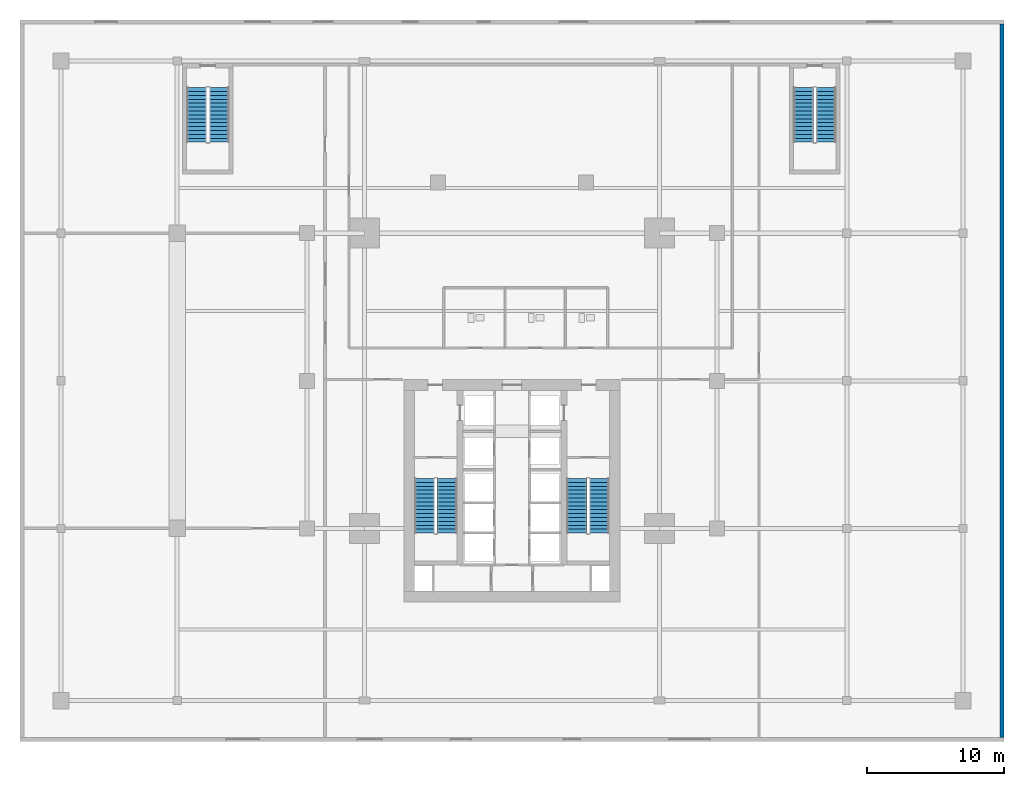
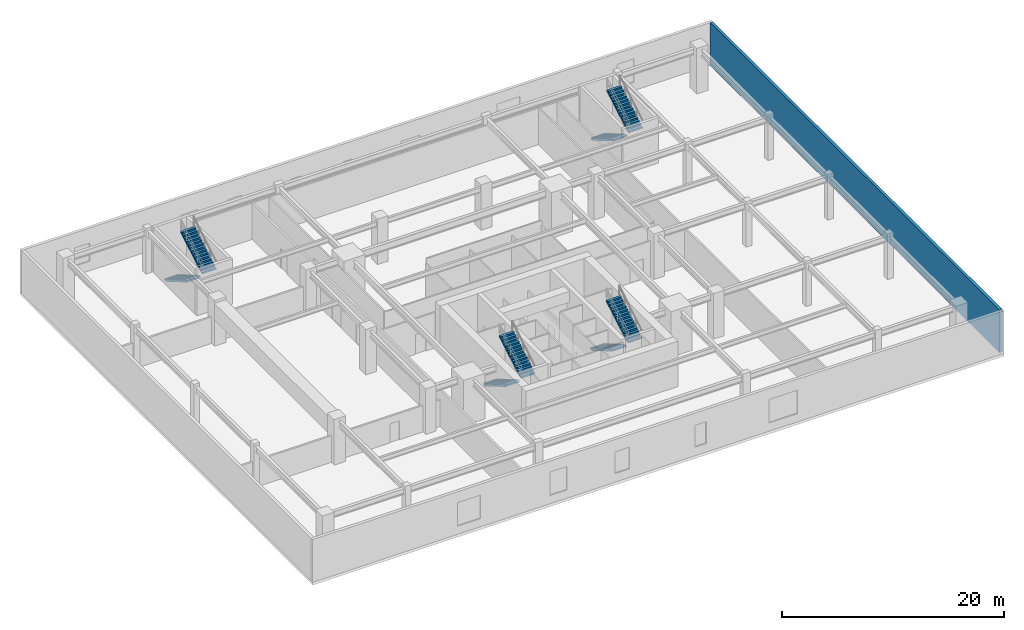
# One storey, part 7 of 10: 8 stair flights, 1 wall, 4 elements without a shape of their own.
"""IFC4 building model written with IfcOpenShell, lengths in metres."""

from ifc_helpers import new_model, si_unit, direction, frame, frame_2d, origin, place, context, subcontext, project, spatial, polyline, rectangle, outline, extrude, material, layer, layer_set, type_object, element, aggregate, save


model = new_model("IFC4")

# Units and contexts
model_context = context("Model", 3, precision=1e-05, world=origin(), true_north=direction((0.0, 1.0)))
body_context = subcontext(model_context, "Body", "Model", "MODEL_VIEW")
ifc_project = project(units=[si_unit("LENGTHUNIT", "METRE"), si_unit("AREAUNIT", "SQUARE_METRE"), si_unit("VOLUMEUNIT", "CUBIC_METRE"), si_unit("PLANEANGLEUNIT", "RADIAN"), si_unit("MASSUNIT", "GRAM", prefix="KILO")], contexts=[model_context])

# Site, building, storey
site_placement = place(None, origin())
site = spatial("IfcSite", under=ifc_project, at=site_placement, CompositionType="ELEMENT")
building_placement = place(site_placement, origin())
building = spatial("IfcBuilding", under=site, at=building_placement, Name="Krantzveldt Concourse Tower", CompositionType="ELEMENT")
storey_placement = place(building_placement, frame((0.0, 0.0, 5.39990234375)))
storey = spatial("IfcBuildingStorey", under=building, at=storey_placement, Name="L01", CompositionType="ELEMENT", Elevation=5.39990234375)

# Wall
ifc_material_1 = material(Name="Concrete C40/50", Category="concrete")
ifc_layer = layer(ifc_material_1, 0.300048828125, Name="Concrete C40/50", Category="concrete")
ifc_layer_set = layer_set([ifc_layer], Name="Concrete C40/50 (WL-EXT-GRAN300)")
wall_type = type_object("IfcWallType", Name="WL-EXT-GRAN300", PredefinedType="SOLIDWALL", material=ifc_layer_set)
wall_placement = place(storey_placement, frame((71.85009765625, 52.800048828125, 0.0), z_axis=(0.0, 0.0, 1.0), x_axis=(0.0, -1.0, 0.0)))
element("IfcWall", 1, at=wall_placement, inside=storey, type_object=wall_type, Name="EW-L01-E", PredefinedType="SOLIDWALL", context=body_context, shape_type="SweptSolid", body=[
    extrude(rectangle(XDim=52.199951171875, YDim=0.300048828125, at=frame_2d((26.10009765625, 0.0))), origin(), (0.0, 0.0, 1.0), 4.7001953125),
])

# Stair, stair flights
ifc_material_2 = material(Name="Precast concrete C40/50", Category="concrete")
stair_type = type_object("IfcStairType", Name="STR-CORE-DOGLEG", PredefinedType="HALF_TURN_STAIR", material=ifc_material_2)
stair_1_placement = place(storey_placement, origin())
stair_1 = element("IfcStair", 2, at=stair_1_placement, inside=storey, type_object=stair_type, Name="L01 Protected Escape Stair ST-1", PredefinedType="HALF_TURN_STAIR")
stair_flight_type = type_object("IfcStairFlightType", Name="STF-CORE-1450", PredefinedType="STRAIGHT", material=ifc_material_2)
stair_flight_1_placement = place(storey_placement, frame((29.60498046875, 19.550048828125, 0.0), z_axis=(0.0, 0.0, 1.0), x_axis=(0.0, -1.0, 0.0)))
stair_flight_1 = element("IfcStairFlight", 3, at=stair_flight_1_placement, type_object=stair_flight_type, Name="ST-1 flight 1", NumberOfRisers=15, NumberOfTreads=14, PredefinedType="STRAIGHT", RiserHeight=0.166666667, TreadLength=0.285, context=body_context, shape_type="SweptSolid", body=[
    extrude(outline(polyline([(0.0, 0.0), (0.0, 0.166748046875), (0.284912109375, 0.166748046875), (0.284912109375, 0.333251953125), (0.570068359375, 0.333251953125), (0.570068359375, 0.5), (0.85498046875, 0.5), (0.85498046875, 0.666748046875), (1.139892578125, 0.666748046875), (1.139892578125, 0.833251953125), (1.425048828125, 0.833251953125), (1.425048828125, 1.0), (1.7099609375, 1.0), (1.7099609375, 1.166748046875), (1.9951171875, 1.166748046875), (1.9951171875, 1.333251953125), (2.280029296875, 1.333251953125), (2.280029296875, 1.5), (2.56494140625, 1.5), (2.56494140625, 1.666748046875), (2.85009765625, 1.666748046875), (2.85009765625, 1.833251953125), (3.135009765625, 1.833251953125), (3.135009765625, 2.0), (3.419921875, 2.0), (3.419921875, 2.166748046875), (3.705078125, 2.166748046875), (3.705078125, 2.333251953125), (3.989990234375, 2.333251953125), (3.989990234375, 2.5), (3.989990234375, 2.15966796875), (0.296875, 0.0), (0.0, 0.0)])), frame((0.0, 0.72509765625, 0.0), z_axis=(0.0, -1.0, 0.0), x_axis=(1.0, 0.0, 0.0)), (0.0, 0.0, 1.0), 1.449951171875),
])
stair_flight_2_placement = place(storey_placement, frame((31.2548828125, 15.56005859375, 2.5), z_axis=(0.0, 0.0, 1.0), x_axis=(0.0, 1.0, 0.0)))
stair_flight_2 = element("IfcStairFlight", 4, at=stair_flight_2_placement, type_object=stair_flight_type, Name="ST-1 flight 2", NumberOfRisers=15, NumberOfTreads=14, PredefinedType="STRAIGHT", RiserHeight=0.166666667, TreadLength=0.285, context=body_context, shape_type="SweptSolid", body=[
    extrude(outline(polyline([(0.0, 0.0), (0.0, 0.166748046875), (0.284912109375, 0.166748046875), (0.284912109375, 0.333251953125), (0.570068359375, 0.333251953125), (0.570068359375, 0.5), (0.85498046875, 0.5), (0.85498046875, 0.666748046875), (1.139892578125, 0.666748046875), (1.139892578125, 0.833251953125), (1.425048828125, 0.833251953125), (1.425048828125, 1.0), (1.7099609375, 1.0), (1.7099609375, 1.166748046875), (1.9951171875, 1.166748046875), (1.9951171875, 1.333251953125), (2.280029296875, 1.333251953125), (2.280029296875, 1.5), (2.56494140625, 1.5), (2.56494140625, 1.666748046875), (2.85009765625, 1.666748046875), (2.85009765625, 1.833251953125), (3.135009765625, 1.833251953125), (3.135009765625, 2.0), (3.419921875, 2.0), (3.419921875, 2.166748046875), (3.705078125, 2.166748046875), (3.705078125, 2.333251953125), (3.989990234375, 2.333251953125), (3.989990234375, 2.5), (3.989990234375, 2.15966796875), (0.296875, 0.0), (0.0, 0.0)])), frame((0.0, 0.72509765625, 0.0), z_axis=(0.0, -1.0, 0.0), x_axis=(1.0, 0.0, 0.0)), (0.0, 0.0, 1.0), 1.449951171875),
])
aggregate(stair_1, [stair_flight_1, stair_flight_2])

stair_2_placement = place(storey_placement, origin())
stair_2 = element("IfcStair", 5, at=stair_2_placement, inside=storey, type_object=stair_type, Name="L01 Protected Escape Stair ST-2", PredefinedType="HALF_TURN_STAIR")
stair_flight_3_placement = place(storey_placement, frame((40.7451171875, 19.550048828125, 0.0), z_axis=(0.0, 0.0, 1.0), x_axis=(0.0, -1.0, 0.0)))
stair_flight_3 = element("IfcStairFlight", 6, at=stair_flight_3_placement, type_object=stair_flight_type, Name="ST-2 flight 1", NumberOfRisers=15, NumberOfTreads=14, PredefinedType="STRAIGHT", RiserHeight=0.166666667, TreadLength=0.285, context=body_context, shape_type="SweptSolid", body=[
    extrude(outline(polyline([(0.0, 0.0), (0.0, 0.166748046875), (0.284912109375, 0.166748046875), (0.284912109375, 0.333251953125), (0.570068359375, 0.333251953125), (0.570068359375, 0.5), (0.85498046875, 0.5), (0.85498046875, 0.666748046875), (1.139892578125, 0.666748046875), (1.139892578125, 0.833251953125), (1.425048828125, 0.833251953125), (1.425048828125, 1.0), (1.7099609375, 1.0), (1.7099609375, 1.166748046875), (1.9951171875, 1.166748046875), (1.9951171875, 1.333251953125), (2.280029296875, 1.333251953125), (2.280029296875, 1.5), (2.56494140625, 1.5), (2.56494140625, 1.666748046875), (2.85009765625, 1.666748046875), (2.85009765625, 1.833251953125), (3.135009765625, 1.833251953125), (3.135009765625, 2.0), (3.419921875, 2.0), (3.419921875, 2.166748046875), (3.705078125, 2.166748046875), (3.705078125, 2.333251953125), (3.989990234375, 2.333251953125), (3.989990234375, 2.5), (3.989990234375, 2.15966796875), (0.296875, 0.0), (0.0, 0.0)])), frame((0.0, 0.72509765625, 0.0), z_axis=(0.0, -1.0, 0.0), x_axis=(1.0, 0.0, 0.0)), (0.0, 0.0, 1.0), 1.449951171875),
])
stair_flight_4_placement = place(storey_placement, frame((42.39501953125, 15.56005859375, 2.5), z_axis=(0.0, 0.0, 1.0), x_axis=(0.0, 1.0, 0.0)))
stair_flight_4 = element("IfcStairFlight", 7, at=stair_flight_4_placement, type_object=stair_flight_type, Name="ST-2 flight 2", NumberOfRisers=15, NumberOfTreads=14, PredefinedType="STRAIGHT", RiserHeight=0.166666667, TreadLength=0.285, context=body_context, shape_type="SweptSolid", body=[
    extrude(outline(polyline([(0.0, 0.0), (0.0, 0.166748046875), (0.284912109375, 0.166748046875), (0.284912109375, 0.333251953125), (0.570068359375, 0.333251953125), (0.570068359375, 0.5), (0.85498046875, 0.5), (0.85498046875, 0.666748046875), (1.139892578125, 0.666748046875), (1.139892578125, 0.833251953125), (1.425048828125, 0.833251953125), (1.425048828125, 1.0), (1.7099609375, 1.0), (1.7099609375, 1.166748046875), (1.9951171875, 1.166748046875), (1.9951171875, 1.333251953125), (2.280029296875, 1.333251953125), (2.280029296875, 1.5), (2.56494140625, 1.5), (2.56494140625, 1.666748046875), (2.85009765625, 1.666748046875), (2.85009765625, 1.833251953125), (3.135009765625, 1.833251953125), (3.135009765625, 2.0), (3.419921875, 2.0), (3.419921875, 2.166748046875), (3.705078125, 2.166748046875), (3.705078125, 2.333251953125), (3.989990234375, 2.333251953125), (3.989990234375, 2.5), (3.989990234375, 2.15966796875), (0.296875, 0.0), (0.0, 0.0)])), frame((0.0, 0.72509765625, 0.0), z_axis=(0.0, -1.0, 0.0), x_axis=(1.0, 0.0, 0.0)), (0.0, 0.0, 1.0), 1.449951171875),
])
aggregate(stair_2, [stair_flight_3, stair_flight_4])

stair_3_placement = place(storey_placement, origin())
stair_3 = element("IfcStair", 8, at=stair_3_placement, inside=storey, type_object=stair_type, Name="L01 Podium Escape Stair ST-3", PredefinedType="HALF_TURN_STAIR")
stair_flight_5_placement = place(storey_placement, frame((12.925048828125, 48.14990234375, 0.0), z_axis=(0.0, 0.0, 1.0), x_axis=(0.0, -1.0, 0.0)))
stair_flight_5 = element("IfcStairFlight", 9, at=stair_flight_5_placement, type_object=stair_flight_type, Name="ST-3 flight 1", NumberOfRisers=15, NumberOfTreads=14, PredefinedType="STRAIGHT", RiserHeight=0.166666667, TreadLength=0.285, context=body_context, shape_type="SweptSolid", body=[
    extrude(outline(polyline([(0.0, 0.0), (0.0, 0.166748046875), (0.284912109375, 0.166748046875), (0.284912109375, 0.333251953125), (0.570068359375, 0.333251953125), (0.570068359375, 0.5), (0.85498046875, 0.5), (0.85498046875, 0.666748046875), (1.139892578125, 0.666748046875), (1.139892578125, 0.833251953125), (1.425048828125, 0.833251953125), (1.425048828125, 1.0), (1.7099609375, 1.0), (1.7099609375, 1.166748046875), (1.9951171875, 1.166748046875), (1.9951171875, 1.333251953125), (2.280029296875, 1.333251953125), (2.280029296875, 1.5), (2.56494140625, 1.5), (2.56494140625, 1.666748046875), (2.85009765625, 1.666748046875), (2.85009765625, 1.833251953125), (3.135009765625, 1.833251953125), (3.135009765625, 2.0), (3.419921875, 2.0), (3.419921875, 2.166748046875), (3.705078125, 2.166748046875), (3.705078125, 2.333251953125), (3.989990234375, 2.333251953125), (3.989990234375, 2.5), (3.989990234375, 2.15966796875), (0.296875, 0.0), (0.0, 0.0)])), frame((0.0, 0.72509765625, 0.0), z_axis=(0.0, -1.0, 0.0), x_axis=(1.0, 0.0, 0.0)), (0.0, 0.0, 1.0), 1.449951171875),
])
stair_flight_6_placement = place(storey_placement, frame((14.574951171875, 44.159912109375, 2.5), z_axis=(0.0, 0.0, 1.0), x_axis=(0.0, 1.0, 0.0)))
stair_flight_6 = element("IfcStairFlight", 10, at=stair_flight_6_placement, type_object=stair_flight_type, Name="ST-3 flight 2", NumberOfRisers=15, NumberOfTreads=14, PredefinedType="STRAIGHT", RiserHeight=0.166666667, TreadLength=0.285, context=body_context, shape_type="SweptSolid", body=[
    extrude(outline(polyline([(0.0, 0.0), (0.0, 0.166748046875), (0.284912109375, 0.166748046875), (0.284912109375, 0.333251953125), (0.570068359375, 0.333251953125), (0.570068359375, 0.5), (0.85498046875, 0.5), (0.85498046875, 0.666748046875), (1.139892578125, 0.666748046875), (1.139892578125, 0.833251953125), (1.425048828125, 0.833251953125), (1.425048828125, 1.0), (1.7099609375, 1.0), (1.7099609375, 1.166748046875), (1.9951171875, 1.166748046875), (1.9951171875, 1.333251953125), (2.280029296875, 1.333251953125), (2.280029296875, 1.5), (2.56494140625, 1.5), (2.56494140625, 1.666748046875), (2.85009765625, 1.666748046875), (2.85009765625, 1.833251953125), (3.135009765625, 1.833251953125), (3.135009765625, 2.0), (3.419921875, 2.0), (3.419921875, 2.166748046875), (3.705078125, 2.166748046875), (3.705078125, 2.333251953125), (3.989990234375, 2.333251953125), (3.989990234375, 2.5), (3.989990234375, 2.15966796875), (0.296875, 0.0), (0.0, 0.0)])), frame((0.0, 0.72509765625, 0.0), z_axis=(0.0, -1.0, 0.0), x_axis=(1.0, 0.0, 0.0)), (0.0, 0.0, 1.0), 1.449951171875),
])
aggregate(stair_3, [stair_flight_5, stair_flight_6])

stair_4_placement = place(storey_placement, origin())
stair_4 = element("IfcStair", 11, at=stair_4_placement, inside=storey, type_object=stair_type, Name="L01 Podium Escape Stair ST-4", PredefinedType="HALF_TURN_STAIR")
stair_flight_7_placement = place(storey_placement, frame((57.324951171875, 48.14990234375, 0.0), z_axis=(0.0, 0.0, 1.0), x_axis=(0.0, -1.0, 0.0)))
stair_flight_7 = element("IfcStairFlight", 12, at=stair_flight_7_placement, type_object=stair_flight_type, Name="ST-4 flight 1", NumberOfRisers=15, NumberOfTreads=14, PredefinedType="STRAIGHT", RiserHeight=0.166666667, TreadLength=0.285, context=body_context, shape_type="SweptSolid", body=[
    extrude(outline(polyline([(0.0, 0.0), (0.0, 0.166748046875), (0.284912109375, 0.166748046875), (0.284912109375, 0.333251953125), (0.570068359375, 0.333251953125), (0.570068359375, 0.5), (0.85498046875, 0.5), (0.85498046875, 0.666748046875), (1.139892578125, 0.666748046875), (1.139892578125, 0.833251953125), (1.425048828125, 0.833251953125), (1.425048828125, 1.0), (1.7099609375, 1.0), (1.7099609375, 1.166748046875), (1.9951171875, 1.166748046875), (1.9951171875, 1.333251953125), (2.280029296875, 1.333251953125), (2.280029296875, 1.5), (2.56494140625, 1.5), (2.56494140625, 1.666748046875), (2.85009765625, 1.666748046875), (2.85009765625, 1.833251953125), (3.135009765625, 1.833251953125), (3.135009765625, 2.0), (3.419921875, 2.0), (3.419921875, 2.166748046875), (3.705078125, 2.166748046875), (3.705078125, 2.333251953125), (3.989990234375, 2.333251953125), (3.989990234375, 2.5), (3.989990234375, 2.15966796875), (0.296875, 0.0), (0.0, 0.0)])), frame((0.0, 0.72509765625, 0.0), z_axis=(0.0, -1.0, 0.0), x_axis=(1.0, 0.0, 0.0)), (0.0, 0.0, 1.0), 1.449951171875),
])
stair_flight_8_placement = place(storey_placement, frame((58.97509765625, 44.159912109375, 2.5), z_axis=(0.0, 0.0, 1.0), x_axis=(0.0, 1.0, 0.0)))
stair_flight_8 = element("IfcStairFlight", 13, at=stair_flight_8_placement, type_object=stair_flight_type, Name="ST-4 flight 2", NumberOfRisers=15, NumberOfTreads=14, PredefinedType="STRAIGHT", RiserHeight=0.166666667, TreadLength=0.285, context=body_context, shape_type="SweptSolid", body=[
    extrude(outline(polyline([(0.0, 0.0), (0.0, 0.166748046875), (0.284912109375, 0.166748046875), (0.284912109375, 0.333251953125), (0.570068359375, 0.333251953125), (0.570068359375, 0.5), (0.85498046875, 0.5), (0.85498046875, 0.666748046875), (1.139892578125, 0.666748046875), (1.139892578125, 0.833251953125), (1.425048828125, 0.833251953125), (1.425048828125, 1.0), (1.7099609375, 1.0), (1.7099609375, 1.166748046875), (1.9951171875, 1.166748046875), (1.9951171875, 1.333251953125), (2.280029296875, 1.333251953125), (2.280029296875, 1.5), (2.56494140625, 1.5), (2.56494140625, 1.666748046875), (2.85009765625, 1.666748046875), (2.85009765625, 1.833251953125), (3.135009765625, 1.833251953125), (3.135009765625, 2.0), (3.419921875, 2.0), (3.419921875, 2.166748046875), (3.705078125, 2.166748046875), (3.705078125, 2.333251953125), (3.989990234375, 2.333251953125), (3.989990234375, 2.5), (3.989990234375, 2.15966796875), (0.296875, 0.0), (0.0, 0.0)])), frame((0.0, 0.72509765625, 0.0), z_axis=(0.0, -1.0, 0.0), x_axis=(1.0, 0.0, 0.0)), (0.0, 0.0, 1.0), 1.449951171875),
])
aggregate(stair_4, [stair_flight_7, stair_flight_8])

save(model, "model.ifc")
